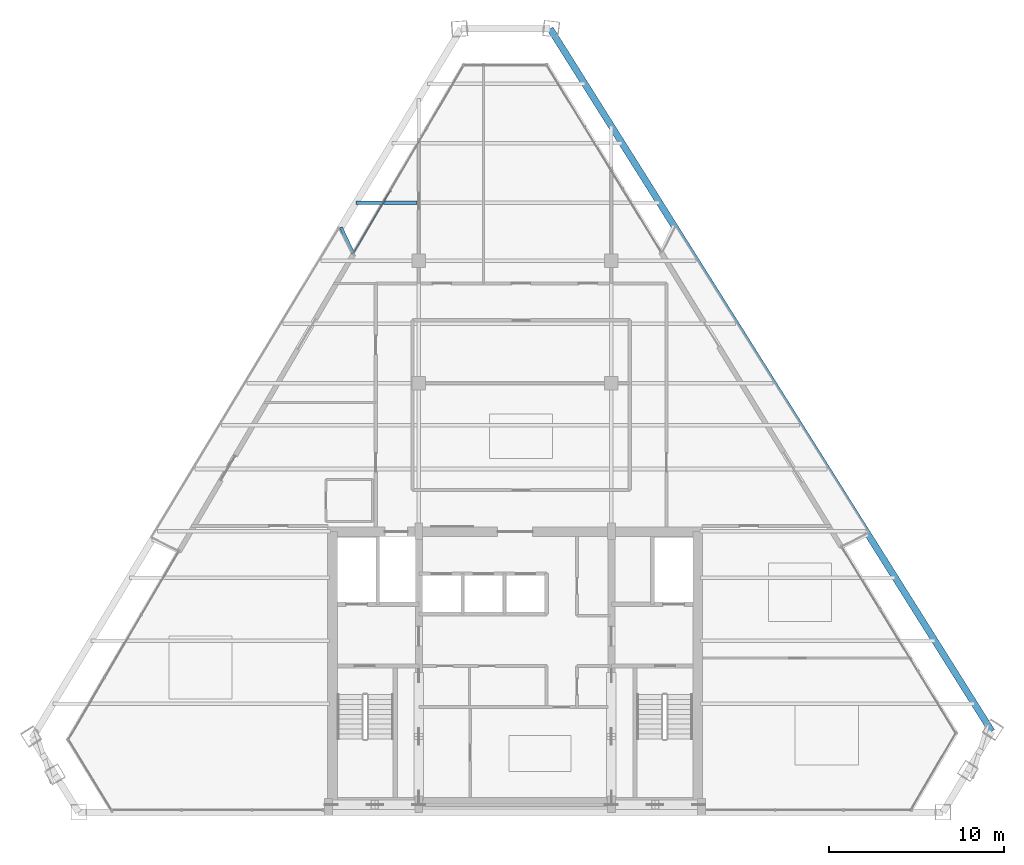
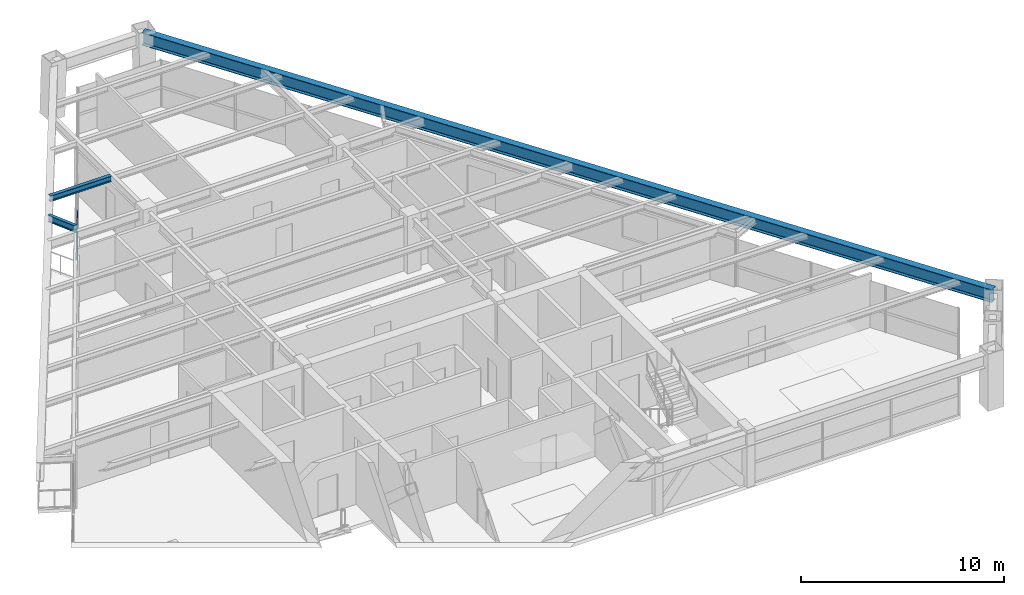
# One storey, part 6 of 13: 3 beams, 1 member, 1 element without a shape of its own.
"""IFC4 building model written with IfcOpenShell, lengths in metres."""

from ifc_helpers import new_model, si_unit, direction, frame, origin, origin_2d, place, context, subcontext, project, spatial, rectangle, i_section, extrude, source, transform, mapped, material, material_profile, profile_set, type_object, element, aggregate, save


model = new_model("IFC4")

# Units and contexts
model_context = context("Model", 3, precision=1e-05, world=origin(), true_north=direction((0.0, 1.0)))
body_context = subcontext(model_context, "Body", "Model", "MODEL_VIEW")
ifc_project = project(units=[si_unit("LENGTHUNIT", "METRE"), si_unit("AREAUNIT", "SQUARE_METRE"), si_unit("VOLUMEUNIT", "CUBIC_METRE"), si_unit("PLANEANGLEUNIT", "RADIAN"), si_unit("MASSUNIT", "GRAM", prefix="KILO")], contexts=[model_context])

# Site, building, storey
site_placement = place(None, origin())
site = spatial("IfcSite", under=ifc_project, at=site_placement, CompositionType="ELEMENT")
building_placement = place(site_placement, origin())
building = spatial("IfcBuilding", under=site, at=building_placement, Name="Varnakhor Terracotta Tower", CompositionType="ELEMENT")
storey_placement = place(building_placement, frame((0.0, 0.0, 247.60009765625)))
storey = spatial("IfcBuildingStorey", under=building, at=storey_placement, Name="L64", CompositionType="ELEMENT", Elevation=247.60009765625)

# Beams
ifc_material_1 = material(Name="Steel S355", Category="steel")
ifc_material_profile_1 = material_profile(ifc_material_1, i_section(OverallWidth=0.381103515625, OverallDepth=0.77294921875, WebThickness=0.01708984375, FlangeThickness=0.027099609375, FilletRadius=0.01806640625, at=origin_2d()), Name="W30X173")
ifc_profile_set_1 = profile_set([ifc_material_profile_1], Name="Steel S355")
beam_type_1 = type_object("IfcBeamType", Name="BM-W30X173", PredefinedType="BEAM", material=ifc_profile_set_1)
shared_shape_1 = source(origin(), body_context, "Body", "SweptSolid", [
    extrude(i_section(OverallWidth=0.381103515625, OverallDepth=0.77294921875, WebThickness=0.01708984375, FlangeThickness=0.027099609375, FilletRadius=0.01806640625, at=origin_2d()), origin(), (0.0, 0.0, 1.0), 47.40087890625),
])
beam_1_placement = place(storey_placement, frame((27.229736328125, 4.61376953125, 2.853515625), z_axis=(-0.532170384912, 0.846637278545, 0.0), x_axis=(-0.846637278545, -0.532170384912, 0.0)))
element("IfcBeam", 1, at=beam_1_placement, inside=storey, type_object=beam_type_1, Name="L64 Perimeter Spandrel 4", PredefinedType="BEAM", context=body_context, shape_type="MappedRepresentation", body=[
    mapped(shared_shape_1, transform((0.0, 0.0, 0.0), scale=1.0)),
])
ifc_material_profile_2 = material_profile(ifc_material_1, i_section(OverallWidth=0.202880859375, OverallDepth=0.346923828125, WebThickness=0.0078125, FlangeThickness=0.013427734375, FilletRadius=0.01806640625, at=origin_2d()), Name="W14X43")
ifc_profile_set_2 = profile_set([ifc_material_profile_2], Name="Steel S355")
beam_type_2 = type_object("IfcBeamType", Name="JST-W14X43", PredefinedType="JOIST", material=ifc_profile_set_2)
shared_shape_2 = source(origin(), body_context, "Body", "SweptSolid", [
    extrude(i_section(OverallWidth=0.202880859375, OverallDepth=0.346923828125, WebThickness=0.0078125, FlangeThickness=0.013427734375, FilletRadius=0.01806640625, at=origin_2d()), origin(), (0.0, 0.0, 1.0), 3.49365234375),
])
beam_2_placement = place(storey_placement, frame((-9.0966796875, 34.800048828125, 3.06640625), z_axis=(1.0, 0.0, 0.0), x_axis=(0.0, 1.0, 0.0)))
element("IfcBeam", 2, at=beam_2_placement, inside=storey, type_object=beam_type_2, Name="L64 Composite Floor Joist 7-1", PredefinedType="JOIST", context=body_context, shape_type="MappedRepresentation", body=[
    mapped(shared_shape_2, transform((0.0, 0.0, 0.0), scale=1.0)),
])

# Curtain wall, member
ifc_material_2 = material(Name="Anodised Aluminium Curtain Wall System", Category="aluminium")
curtain_wall_type = type_object("IfcCurtainWallType", Name="CW-SYS-HOTEL-LOGGIA", PredefinedType="NOTDEFINED", material=ifc_material_2)
curtain_wall_placement = place(storey_placement, origin())
curtain_wall = element("IfcCurtainWall", 3, at=curtain_wall_placement, inside=storey, type_object=curtain_wall_type, Name="L64 W Facet Curtain Wall 2", PredefinedType="NOTDEFINED")
ifc_material_3 = material(Name="Anodised Aluminium 6063-T6", Category="aluminium")
ifc_material_profile_3 = material_profile(ifc_material_3, rectangle(XDim=0.06494140625, YDim=0.14501953125, at=origin_2d()), Name="ALU TRANSOM 65x145")
ifc_profile_set_3 = profile_set([ifc_material_profile_3], Name="Anodised Aluminium 6063-T6")
member_type = type_object("IfcMemberType", Name="CWT-04", PredefinedType="USERDEFINED", material=ifc_profile_set_3)
shared_shape_3 = source(origin(), body_context, "Body", "SweptSolid", [
    extrude(rectangle(XDim=0.06494140625, YDim=0.14501953125, at=origin_2d()), origin(), (0.0, 0.0, 1.0), 4.158935546875),
])
member_placement = place(storey_placement, frame((-9.22021484375, 31.925048828125, 1.184326171875), z_axis=(0.505906299884, 0.862588439371, 0.0), x_axis=(-0.862588439371, 0.505906299884, 0.0)))
member = element("IfcMember", 4, at=member_placement, type_object=member_type, Name="L64 W Facet Curtain Wall 2 Transom 1", ObjectType="TRANSOM", PredefinedType="USERDEFINED", context=body_context, shape_type="MappedRepresentation", body=[
    mapped(shared_shape_3, transform((0.0, 0.0, 0.0), scale=1.0)),
])
aggregate(curtain_wall, [member])

# Beam
ifc_material_profile_4 = material_profile(ifc_material_1, i_section(OverallWidth=0.179931640625, OverallDepth=0.39990234375, WebThickness=0.008544921875, FlangeThickness=0.013427734375, FilletRadius=0.01806640625, at=origin_2d()), Name="IPE400")
ifc_profile_set_4 = profile_set([ifc_material_profile_4], Name="Steel S355")
beam_type_3 = type_object("IfcBeamType", Name="JST-IPE400", PredefinedType="JOIST", material=ifc_profile_set_4)
shared_shape_4 = source(origin(), body_context, "Body", "SweptSolid", [
    extrude(i_section(OverallWidth=0.179931640625, OverallDepth=0.39990234375, WebThickness=0.008544921875, FlangeThickness=0.013427734375, FilletRadius=0.01806640625, at=origin_2d()), origin(), (0.0, 0.0, 1.0), 1.6259765625),
])
beam_3_placement = place(storey_placement, frame((-9.24658203125, 31.929931640625, 3.039794921875), z_axis=(-0.42849935467, 0.903542087037, 0.0), x_axis=(-0.903542087037, -0.42849935467, 0.0)))
element("IfcBeam", 5, at=beam_3_placement, inside=storey, type_object=beam_type_3, Name="L65 W Loggia Tie Beam 2", PredefinedType="JOIST", context=body_context, shape_type="MappedRepresentation", body=[
    mapped(shared_shape_4, transform((0.0, 0.0, 0.0), scale=1.0)),
])

save(model, "model.ifc")
